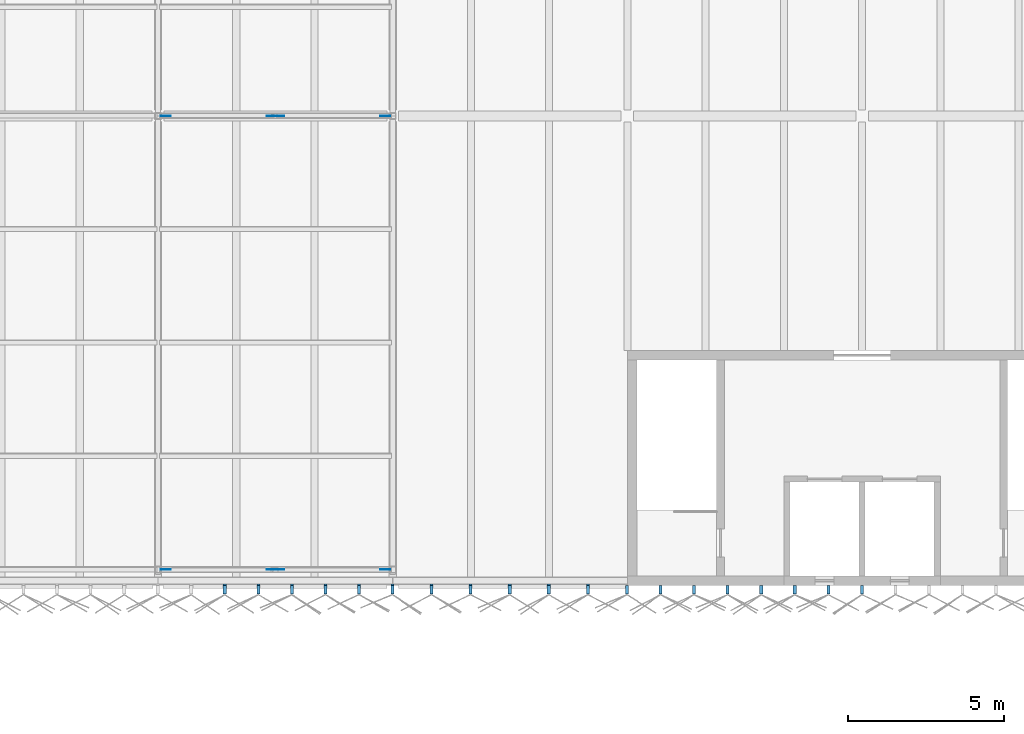
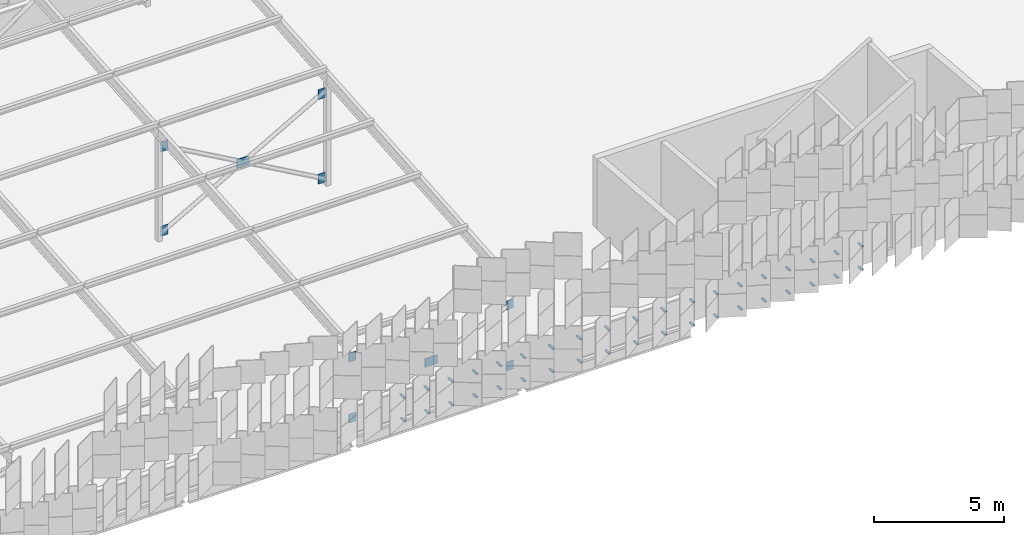
# One storey, part 439 of 483: 48 discrete accessories.
"""IFC4 building model written with IfcOpenShell, lengths in metres."""

from ifc_helpers import new_model, si_unit, direction, frame, origin, origin_2d, place, context, subcontext, project, spatial, polyline, rectangle, outline, extrude, material, layer, layer_set, type_object, element, save


model = new_model("IFC4")

# Units and contexts
model_context = context("Model", 3, precision=1e-05, world=origin(), true_north=direction((0.0, 1.0)))
body_context = subcontext(model_context, "Body", "Model", "MODEL_VIEW")
ifc_project = project(units=[si_unit("LENGTHUNIT", "METRE"), si_unit("AREAUNIT", "SQUARE_METRE"), si_unit("VOLUMEUNIT", "CUBIC_METRE"), si_unit("PLANEANGLEUNIT", "RADIAN"), si_unit("MASSUNIT", "GRAM", prefix="KILO")], contexts=[model_context])

# Site, building, storey
site_placement = place(None, origin())
site = spatial("IfcSite", under=ifc_project, at=site_placement, CompositionType="ELEMENT")
building_placement = place(site_placement, origin())
building = spatial("IfcBuilding", under=site, at=building_placement, Name="Parallax Yard Mobility Hub", CompositionType="ELEMENT")
storey_placement = place(building_placement, frame((0.0, 0.0, 13.199951171875)))
storey = spatial("IfcBuildingStorey", under=building, at=storey_placement, Name="L04", CompositionType="ELEMENT", Elevation=13.199951171875)

# Discrete accessories
ifc_material_1 = material(Name="Steel ASTM A36", Category="steel")
ifc_layer = layer(ifc_material_1, 0.011962890625)
ifc_layer_set = layer_set([ifc_layer], Name="Gusset plate PL12")
discrete_accessory_type_1 = type_object("IfcDiscreteAccessoryType", Name="Gusset plate PL12", PredefinedType="BRACKET", material=ifc_layer_set)
discrete_accessory_1_placement = place(storey_placement, frame((0.0, 0.0, 0.150146484375)))
element("IfcDiscreteAccessory", 1, at=discrete_accessory_1_placement, inside=storey, type_object=discrete_accessory_type_1, Name="Gusset plate PL12 RA bay N-B bay 4 foot on post N-B4", PredefinedType="BRACKET", context=body_context, shape_type="SweptSolid", body=[
    extrude(outline(polyline([(112.58154296875, 112.993896484375), (112.901611328125, 112.993896484375), (112.901611328125, 113.006103515625), (112.58154296875, 113.006103515625), (112.58154296875, 112.993896484375)])), origin(), (0.0, 0.0, 1.0), 0.42236328125),
])
for number, where, name in (
    (2, (0.0, 0.0, 3.017578125), "Gusset plate PL12 RA bay N-B bay 4 head on post N-B5"),
    (3, (0.0, 0.0, 0.150146484375), "Gusset plate PL12 RA bay N-B bay 4 foot on post N-B5"),
):
    element("IfcDiscreteAccessory", number, at=place(storey_placement, frame(where)), inside=storey, type_object=discrete_accessory_type_1, Name=name, PredefinedType="BRACKET", context=body_context, shape_type="SweptSolid", body=[
        extrude(outline(polyline([(119.91845703125, 113.006103515625), (119.598388671875, 113.006103515625), (119.598388671875, 112.993896484375), (119.91845703125, 112.993896484375), (119.91845703125, 113.006103515625)])), origin(), (0.0, 0.0, 1.0), 0.42236328125),
    ])
discrete_accessory_2_placement = place(storey_placement, frame((0.0, 0.0, 3.017578125)))
element("IfcDiscreteAccessory", 4, at=discrete_accessory_2_placement, inside=storey, type_object=discrete_accessory_type_1, Name="Gusset plate PL12 RA bay N-B bay 4 head on post N-B4", PredefinedType="BRACKET", context=body_context, shape_type="SweptSolid", body=[
    extrude(outline(polyline([(112.58154296875, 112.993896484375), (112.901611328125, 112.993896484375), (112.901611328125, 113.006103515625), (112.58154296875, 113.006103515625), (112.58154296875, 112.993896484375)])), origin(), (0.0, 0.0, 1.0), 0.42236328125),
])
discrete_accessory_3_placement = place(storey_placement, frame((0.0, 0.0, 1.5849609375)))
element("IfcDiscreteAccessory", 5, at=discrete_accessory_3_placement, inside=storey, type_object=discrete_accessory_type_1, Name="Gusset plate PL12 RA bay N-B bay 4 crossing node", PredefinedType="BRACKET", context=body_context, shape_type="SweptSolid", body=[
    extrude(outline(polyline([(115.969970703125, 112.993896484375), (116.530029296875, 112.993896484375), (116.530029296875, 113.006103515625), (115.969970703125, 113.006103515625), (115.969970703125, 112.993896484375)])), origin(), (0.0, 0.0, 1.0), 0.420166015625),
])
discrete_accessory_4_placement = place(storey_placement, frame((0.0, 0.0, 0.150146484375)))
element("IfcDiscreteAccessory", 6, at=discrete_accessory_4_placement, inside=storey, type_object=discrete_accessory_type_1, Name="Gusset plate PL12 RB bay N-B bay 4 foot on post N-B4", PredefinedType="BRACKET", context=body_context, shape_type="SweptSolid", body=[
    extrude(outline(polyline([(112.58154296875, 127.493896484375), (112.901611328125, 127.493896484375), (112.901611328125, 127.506103515625), (112.58154296875, 127.506103515625), (112.58154296875, 127.493896484375)])), origin(), (0.0, 0.0, 1.0), 0.4697265625),
])
discrete_accessory_5_placement = place(storey_placement, frame((0.0, 0.0, 4.130126953125)))
element("IfcDiscreteAccessory", 7, at=discrete_accessory_5_placement, inside=storey, type_object=discrete_accessory_type_1, Name="Gusset plate PL12 RB bay N-B bay 4 head on post N-B5", PredefinedType="BRACKET", context=body_context, shape_type="SweptSolid", body=[
    extrude(outline(polyline([(119.91845703125, 127.506103515625), (119.598388671875, 127.506103515625), (119.598388671875, 127.493896484375), (119.91845703125, 127.493896484375), (119.91845703125, 127.506103515625)])), origin(), (0.0, 0.0, 1.0), 0.469970703125),
])
discrete_accessory_6_placement = place(storey_placement, frame((0.0, 0.0, 0.150146484375)))
element("IfcDiscreteAccessory", 8, at=discrete_accessory_6_placement, inside=storey, type_object=discrete_accessory_type_1, Name="Gusset plate PL12 RB bay N-B bay 4 foot on post N-B5", PredefinedType="BRACKET", context=body_context, shape_type="SweptSolid", body=[
    extrude(outline(polyline([(119.91845703125, 127.506103515625), (119.598388671875, 127.506103515625), (119.598388671875, 127.493896484375), (119.91845703125, 127.493896484375), (119.91845703125, 127.506103515625)])), origin(), (0.0, 0.0, 1.0), 0.4697265625),
])
discrete_accessory_7_placement = place(storey_placement, frame((0.0, 0.0, 4.130126953125)))
element("IfcDiscreteAccessory", 9, at=discrete_accessory_7_placement, inside=storey, type_object=discrete_accessory_type_1, Name="Gusset plate PL12 RB bay N-B bay 4 head on post N-B4", PredefinedType="BRACKET", context=body_context, shape_type="SweptSolid", body=[
    extrude(outline(polyline([(112.58154296875, 127.493896484375), (112.901611328125, 127.493896484375), (112.901611328125, 127.506103515625), (112.58154296875, 127.506103515625), (112.58154296875, 127.493896484375)])), origin(), (0.0, 0.0, 1.0), 0.469970703125),
])
discrete_accessory_8_placement = place(storey_placement, frame((0.0, 0.0, 2.1650390625)))
element("IfcDiscreteAccessory", 10, at=discrete_accessory_8_placement, inside=storey, type_object=discrete_accessory_type_1, Name="Gusset plate PL12 RB bay N-B bay 4 crossing node", PredefinedType="BRACKET", context=body_context, shape_type="SweptSolid", body=[
    extrude(outline(polyline([(115.969970703125, 127.493896484375), (116.530029296875, 127.493896484375), (116.530029296875, 127.506103515625), (115.969970703125, 127.506103515625), (115.969970703125, 127.493896484375)])), origin(), (0.0, 0.0, 1.0), 0.419921875),
])
ifc_material_2 = material(Name="Steel ASTM A36, hot-dip galvanised", Category="steel")
discrete_accessory_type_2 = type_object("IfcDiscreteAccessoryType", Name="Hinge bracket plate 100x50", PredefinedType="BRACKET", material=ifc_material_2)
discrete_accessory_9_placement = place(storey_placement, frame((114.634033203125, 112.3583984375, -0.02490234375), z_axis=(0.0, 0.0, 1.0), x_axis=(0.0, -1.0, 0.0)))
element("IfcDiscreteAccessory", 11, at=discrete_accessory_9_placement, inside=storey, type_object=discrete_accessory_type_2, Name="Hinge bracket plate bay 11.3 level L04", PredefinedType="BRACKET", context=body_context, shape_type="SweptSolid", body=[
    extrude(rectangle(XDim=0.2841796875, YDim=0.10009765625, at=origin_2d()), origin(), (0.0, 0.0, 1.0), 0.050048828125),
])
discrete_accessory_10_placement = place(storey_placement, frame((114.634033203125, 112.38134765625, 1.06982421875), z_axis=(0.0, 0.0, 1.0), x_axis=(0.0, -1.0, 0.0)))
element("IfcDiscreteAccessory", 12, at=discrete_accessory_10_placement, inside=storey, type_object=discrete_accessory_type_2, Name="Hinge bracket plate bay 11.3 level L04", PredefinedType="BRACKET", context=body_context, shape_type="SweptSolid", body=[
    extrude(rectangle(XDim=0.330078125, YDim=0.10009765625, at=origin_2d()), origin(), (0.0, 0.0, 1.0), 0.050048828125),
])
discrete_accessory_11_placement = place(storey_placement, frame((115.70556640625, 112.3583984375, -0.02490234375), z_axis=(0.0, 0.0, 1.0), x_axis=(0.0, -1.0, 0.0)))
element("IfcDiscreteAccessory", 13, at=discrete_accessory_11_placement, inside=storey, type_object=discrete_accessory_type_2, Name="Hinge bracket plate bay 11.4 level L04", PredefinedType="BRACKET", context=body_context, shape_type="SweptSolid", body=[
    extrude(rectangle(XDim=0.2841796875, YDim=0.10009765625, at=origin_2d()), origin(), (0.0, 0.0, 1.0), 0.050048828125),
])
discrete_accessory_12_placement = place(storey_placement, frame((115.70556640625, 112.38134765625, 1.06982421875), z_axis=(0.0, 0.0, 1.0), x_axis=(0.0, -1.0, 0.0)))
element("IfcDiscreteAccessory", 14, at=discrete_accessory_12_placement, inside=storey, type_object=discrete_accessory_type_2, Name="Hinge bracket plate bay 11.4 level L04", PredefinedType="BRACKET", context=body_context, shape_type="SweptSolid", body=[
    extrude(rectangle(XDim=0.330078125, YDim=0.10009765625, at=origin_2d()), origin(), (0.0, 0.0, 1.0), 0.050048828125),
])
discrete_accessory_13_placement = place(storey_placement, frame((116.777099609375, 112.3583984375, -0.02490234375), z_axis=(0.0, 0.0, 1.0), x_axis=(0.0, -1.0, 0.0)))
element("IfcDiscreteAccessory", 15, at=discrete_accessory_13_placement, inside=storey, type_object=discrete_accessory_type_2, Name="Hinge bracket plate bay 11.5 level L04", PredefinedType="BRACKET", context=body_context, shape_type="SweptSolid", body=[
    extrude(rectangle(XDim=0.2841796875, YDim=0.10009765625, at=origin_2d()), origin(), (0.0, 0.0, 1.0), 0.050048828125),
])
discrete_accessory_14_placement = place(storey_placement, frame((116.777099609375, 112.38134765625, 1.06982421875), z_axis=(0.0, 0.0, 1.0), x_axis=(0.0, -1.0, 0.0)))
element("IfcDiscreteAccessory", 16, at=discrete_accessory_14_placement, inside=storey, type_object=discrete_accessory_type_2, Name="Hinge bracket plate bay 11.5 level L04", PredefinedType="BRACKET", context=body_context, shape_type="SweptSolid", body=[
    extrude(rectangle(XDim=0.330078125, YDim=0.10009765625, at=origin_2d()), origin(), (0.0, 0.0, 1.0), 0.050048828125),
])
discrete_accessory_15_placement = place(storey_placement, frame((117.848388671875, 112.3583984375, -0.02490234375), z_axis=(0.0, 0.0, 1.0), x_axis=(0.0, -1.0, 0.0)))
element("IfcDiscreteAccessory", 17, at=discrete_accessory_15_placement, inside=storey, type_object=discrete_accessory_type_2, Name="Hinge bracket plate bay 11.6 level L04", PredefinedType="BRACKET", context=body_context, shape_type="SweptSolid", body=[
    extrude(rectangle(XDim=0.2841796875, YDim=0.10009765625, at=origin_2d()), origin(), (0.0, 0.0, 1.0), 0.050048828125),
])
discrete_accessory_16_placement = place(storey_placement, frame((117.848388671875, 112.38134765625, 1.06982421875), z_axis=(0.0, 0.0, 1.0), x_axis=(0.0, -1.0, 0.0)))
element("IfcDiscreteAccessory", 18, at=discrete_accessory_16_placement, inside=storey, type_object=discrete_accessory_type_2, Name="Hinge bracket plate bay 11.6 level L04", PredefinedType="BRACKET", context=body_context, shape_type="SweptSolid", body=[
    extrude(rectangle(XDim=0.330078125, YDim=0.10009765625, at=origin_2d()), origin(), (0.0, 0.0, 1.0), 0.050048828125),
])
discrete_accessory_17_placement = place(storey_placement, frame((118.919921875, 112.3583984375, -0.02490234375), z_axis=(0.0, 0.0, 1.0), x_axis=(0.0, -1.0, 0.0)))
element("IfcDiscreteAccessory", 19, at=discrete_accessory_17_placement, inside=storey, type_object=discrete_accessory_type_2, Name="Hinge bracket plate bay 11.7 level L04", PredefinedType="BRACKET", context=body_context, shape_type="SweptSolid", body=[
    extrude(rectangle(XDim=0.2841796875, YDim=0.10009765625, at=origin_2d()), origin(), (0.0, 0.0, 1.0), 0.050048828125),
])
discrete_accessory_18_placement = place(storey_placement, frame((118.919921875, 112.38134765625, 1.06982421875), z_axis=(0.0, 0.0, 1.0), x_axis=(0.0, -1.0, 0.0)))
element("IfcDiscreteAccessory", 20, at=discrete_accessory_18_placement, inside=storey, type_object=discrete_accessory_type_2, Name="Hinge bracket plate bay 11.7 level L04", PredefinedType="BRACKET", context=body_context, shape_type="SweptSolid", body=[
    extrude(rectangle(XDim=0.330078125, YDim=0.10009765625, at=origin_2d()), origin(), (0.0, 0.0, 1.0), 0.050048828125),
])
discrete_accessory_19_placement = place(storey_placement, frame((119.991455078125, 112.3583984375, -0.02490234375), z_axis=(0.0, 0.0, 1.0), x_axis=(0.0, -1.0, 0.0)))
element("IfcDiscreteAccessory", 21, at=discrete_accessory_19_placement, inside=storey, type_object=discrete_accessory_type_2, Name="Hinge bracket plate bay 12.1 level L04", PredefinedType="BRACKET", context=body_context, shape_type="SweptSolid", body=[
    extrude(rectangle(XDim=0.2841796875, YDim=0.10009765625, at=origin_2d()), origin(), (0.0, 0.0, 1.0), 0.050048828125),
])
discrete_accessory_20_placement = place(storey_placement, frame((119.991455078125, 112.38134765625, 1.06982421875), z_axis=(0.0, 0.0, 1.0), x_axis=(0.0, -1.0, 0.0)))
element("IfcDiscreteAccessory", 22, at=discrete_accessory_20_placement, inside=storey, type_object=discrete_accessory_type_2, Name="Hinge bracket plate bay 12.1 level L04", PredefinedType="BRACKET", context=body_context, shape_type="SweptSolid", body=[
    extrude(rectangle(XDim=0.330078125, YDim=0.10009765625, at=origin_2d()), origin(), (0.0, 0.0, 1.0), 0.050048828125),
])
discrete_accessory_21_placement = place(storey_placement, frame((121.24072265625, 112.3583984375, -0.02490234375), z_axis=(0.0, 0.0, 1.0), x_axis=(0.0, -1.0, 0.0)))
element("IfcDiscreteAccessory", 23, at=discrete_accessory_21_placement, inside=storey, type_object=discrete_accessory_type_2, Name="Hinge bracket plate bay 12.2 level L04", PredefinedType="BRACKET", context=body_context, shape_type="SweptSolid", body=[
    extrude(rectangle(XDim=0.2841796875, YDim=0.10009765625, at=origin_2d()), origin(), (0.0, 0.0, 1.0), 0.050048828125),
])
discrete_accessory_22_placement = place(storey_placement, frame((121.24072265625, 112.38134765625, 1.06982421875), z_axis=(0.0, 0.0, 1.0), x_axis=(0.0, -1.0, 0.0)))
element("IfcDiscreteAccessory", 24, at=discrete_accessory_22_placement, inside=storey, type_object=discrete_accessory_type_2, Name="Hinge bracket plate bay 12.2 level L04", PredefinedType="BRACKET", context=body_context, shape_type="SweptSolid", body=[
    extrude(rectangle(XDim=0.330078125, YDim=0.10009765625, at=origin_2d()), origin(), (0.0, 0.0, 1.0), 0.050048828125),
])
discrete_accessory_23_placement = place(storey_placement, frame((122.489990234375, 112.3583984375, -0.02490234375), z_axis=(0.0, 0.0, 1.0), x_axis=(0.0, -1.0, 0.0)))
element("IfcDiscreteAccessory", 25, at=discrete_accessory_23_placement, inside=storey, type_object=discrete_accessory_type_2, Name="Hinge bracket plate bay 12.3 level L04", PredefinedType="BRACKET", context=body_context, shape_type="SweptSolid", body=[
    extrude(rectangle(XDim=0.2841796875, YDim=0.10009765625, at=origin_2d()), origin(), (0.0, 0.0, 1.0), 0.050048828125),
])
discrete_accessory_24_placement = place(storey_placement, frame((122.489990234375, 112.38134765625, 1.06982421875), z_axis=(0.0, 0.0, 1.0), x_axis=(0.0, -1.0, 0.0)))
element("IfcDiscreteAccessory", 26, at=discrete_accessory_24_placement, inside=storey, type_object=discrete_accessory_type_2, Name="Hinge bracket plate bay 12.3 level L04", PredefinedType="BRACKET", context=body_context, shape_type="SweptSolid", body=[
    extrude(rectangle(XDim=0.330078125, YDim=0.10009765625, at=origin_2d()), origin(), (0.0, 0.0, 1.0), 0.050048828125),
])
discrete_accessory_25_placement = place(storey_placement, frame((123.7392578125, 112.3583984375, -0.02490234375), z_axis=(0.0, 0.0, 1.0), x_axis=(0.0, -1.0, 0.0)))
element("IfcDiscreteAccessory", 27, at=discrete_accessory_25_placement, inside=storey, type_object=discrete_accessory_type_2, Name="Hinge bracket plate bay 12.4 level L04", PredefinedType="BRACKET", context=body_context, shape_type="SweptSolid", body=[
    extrude(rectangle(XDim=0.2841796875, YDim=0.10009765625, at=origin_2d()), origin(), (0.0, 0.0, 1.0), 0.050048828125),
])
discrete_accessory_26_placement = place(storey_placement, frame((123.7392578125, 112.38134765625, 1.06982421875), z_axis=(0.0, 0.0, 1.0), x_axis=(0.0, -1.0, 0.0)))
element("IfcDiscreteAccessory", 28, at=discrete_accessory_26_placement, inside=storey, type_object=discrete_accessory_type_2, Name="Hinge bracket plate bay 12.4 level L04", PredefinedType="BRACKET", context=body_context, shape_type="SweptSolid", body=[
    extrude(rectangle(XDim=0.330078125, YDim=0.10009765625, at=origin_2d()), origin(), (0.0, 0.0, 1.0), 0.050048828125),
])
discrete_accessory_27_placement = place(storey_placement, frame((124.988525390625, 112.3583984375, -0.02490234375), z_axis=(0.0, 0.0, 1.0), x_axis=(0.0, -1.0, 0.0)))
element("IfcDiscreteAccessory", 29, at=discrete_accessory_27_placement, inside=storey, type_object=discrete_accessory_type_2, Name="Hinge bracket plate bay 12.5 level L04", PredefinedType="BRACKET", context=body_context, shape_type="SweptSolid", body=[
    extrude(rectangle(XDim=0.2841796875, YDim=0.10009765625, at=origin_2d()), origin(), (0.0, 0.0, 1.0), 0.050048828125),
])
discrete_accessory_28_placement = place(storey_placement, frame((124.988525390625, 112.38134765625, 1.06982421875), z_axis=(0.0, 0.0, 1.0), x_axis=(0.0, -1.0, 0.0)))
element("IfcDiscreteAccessory", 30, at=discrete_accessory_28_placement, inside=storey, type_object=discrete_accessory_type_2, Name="Hinge bracket plate bay 12.5 level L04", PredefinedType="BRACKET", context=body_context, shape_type="SweptSolid", body=[
    extrude(rectangle(XDim=0.330078125, YDim=0.10009765625, at=origin_2d()), origin(), (0.0, 0.0, 1.0), 0.050048828125),
])
discrete_accessory_29_placement = place(storey_placement, frame((126.23779296875, 112.3583984375, -0.02490234375), z_axis=(0.0, 0.0, 1.0), x_axis=(0.0, -1.0, 0.0)))
element("IfcDiscreteAccessory", 31, at=discrete_accessory_29_placement, inside=storey, type_object=discrete_accessory_type_2, Name="Hinge bracket plate bay 12.6 level L04", PredefinedType="BRACKET", context=body_context, shape_type="SweptSolid", body=[
    extrude(rectangle(XDim=0.2841796875, YDim=0.10009765625, at=origin_2d()), origin(), (0.0, 0.0, 1.0), 0.050048828125),
])
discrete_accessory_30_placement = place(storey_placement, frame((126.23779296875, 112.38134765625, 1.06982421875), z_axis=(0.0, 0.0, 1.0), x_axis=(0.0, -1.0, 0.0)))
element("IfcDiscreteAccessory", 32, at=discrete_accessory_30_placement, inside=storey, type_object=discrete_accessory_type_2, Name="Hinge bracket plate bay 12.6 level L04", PredefinedType="BRACKET", context=body_context, shape_type="SweptSolid", body=[
    extrude(rectangle(XDim=0.330078125, YDim=0.10009765625, at=origin_2d()), origin(), (0.0, 0.0, 1.0), 0.050048828125),
])
for number, where, z_axis, x_axis, name in (
    (33, (127.487060546875, 112.3583984375, -0.02490234375), (0.0, 0.0, 1.0), (0.0, -1.0, 0.0), "Hinge bracket plate bay 13.1 level L04"),
    (34, (127.487060546875, 112.3583984375, 1.06982421875), (0.0, 0.0, 1.0), (0.0, -1.0, 0.0), "Hinge bracket plate bay 13.1 level L04"),
    (35, (128.55908203125, 112.3583984375, -0.02490234375), (0.0, 0.0, 1.0), (0.0, -1.0, 0.0), "Hinge bracket plate bay 13.2 level L04"),
    (36, (128.55908203125, 112.3583984375, 1.06982421875), (0.0, 0.0, 1.0), (0.0, -1.0, 0.0), "Hinge bracket plate bay 13.2 level L04"),
    (37, (129.63134765625, 112.3583984375, -0.02490234375), (0.0, 0.0, 1.0), (0.0, -1.0, 0.0), "Hinge bracket plate bay 13.3 level L04"),
    (38, (129.63134765625, 112.3583984375, 1.06982421875), (0.0, 0.0, 1.0), (0.0, -1.0, 0.0), "Hinge bracket plate bay 13.3 level L04"),
    (39, (130.70361328125, 112.3583984375, -0.02490234375), (0.0, 0.0, 1.0), (0.0, -1.0, 0.0), "Hinge bracket plate bay 13.4 level L04"),
    (40, (130.70361328125, 112.3583984375, 1.06982421875), (0.0, 0.0, 1.0), (0.0, -1.0, 0.0), "Hinge bracket plate bay 13.4 level L04"),
    (41, (131.77587890625, 112.3583984375, -0.02490234375), (0.0, 0.0, 1.0), (0.0, -1.0, 0.0), "Hinge bracket plate bay 13.5 level L04"),
    (42, (131.77587890625, 112.3583984375, 1.06982421875), (0.0, 0.0, 1.0), (0.0, -1.0, 0.0), "Hinge bracket plate bay 13.5 level L04"),
    (43, (132.84814453125, 112.3583984375, -0.02490234375), (0.0, 0.0, 1.0), (0.0, -1.0, 0.0), "Hinge bracket plate bay 13.6 level L04"),
    (44, (132.84814453125, 112.3583984375, 1.06982421875), (0.0, 0.0, 1.0), (0.0, -1.0, 0.0), "Hinge bracket plate bay 13.6 level L04"),
    (45, (133.92041015625, 112.3583984375, -0.02490234375), (0.0, 0.0, 1.0), (0.0, -1.0, 0.0), "Hinge bracket plate bay 13.7 level L04"),
    (46, (133.92041015625, 112.3583984375, 1.06982421875), (0.0, 0.0, 1.0), (0.0, -1.0, 0.0), "Hinge bracket plate bay 13.7 level L04"),
    (47, (134.992431640625, 112.3583984375, -0.02490234375), (0.0, 0.0, 1.0), (0.0, -1.0, 0.0), "Hinge bracket plate bay 13.8 level L04"),
    (48, (134.992431640625, 112.3583984375, 1.06982421875), (0.0, 0.0, 1.0), (0.0, -1.0, 0.0), "Hinge bracket plate bay 13.8 level L04"),
):
    element("IfcDiscreteAccessory", number, at=place(storey_placement, frame(where, z_axis=z_axis, x_axis=x_axis)), inside=storey, type_object=discrete_accessory_type_2, Name=name, PredefinedType="BRACKET", context=body_context, shape_type="SweptSolid", body=[
        extrude(rectangle(XDim=0.2841796875, YDim=0.10009765625, at=origin_2d()), origin(), (0.0, 0.0, 1.0), 0.050048828125),
    ])

save(model, "model.ifc")
